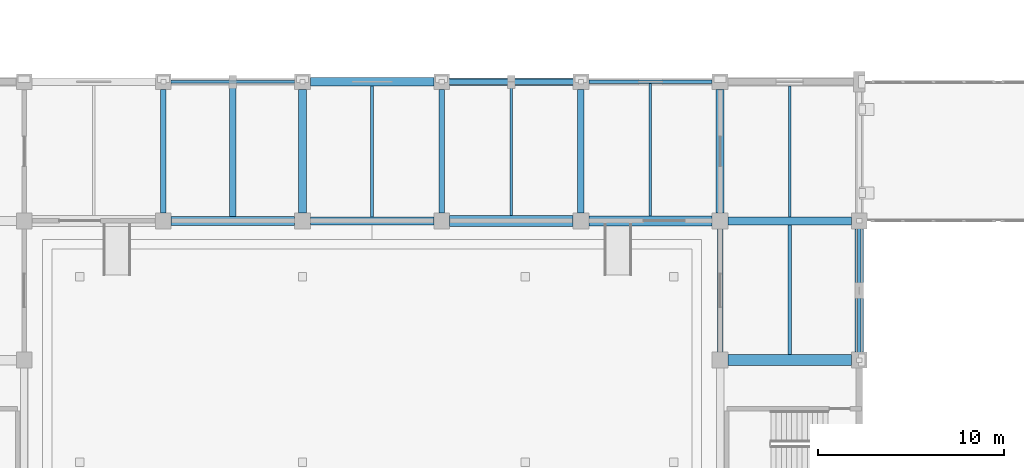
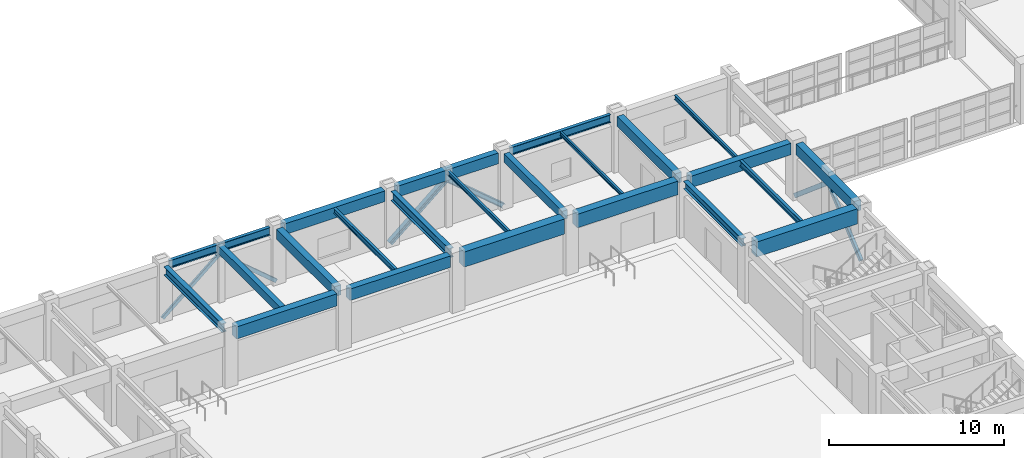
# One storey, part 55 of 132: 23 beams, 6 members.
"""IFC4 building model written with IfcOpenShell, lengths in metres."""

from ifc_helpers import new_model, si_unit, direction, frame, origin, origin_2d, place, context, subcontext, project, spatial, rectangle, hollow_rectangle, i_section, extrude, material, material_profile, profile_set, type_object, element, save


model = new_model("IFC4")

# Units and contexts
model_context = context("Model", 3, precision=1e-05, world=origin(), true_north=direction((0.0, 1.0)))
body_context = subcontext(model_context, "Body", "Model", "MODEL_VIEW")
ifc_project = project(units=[si_unit("LENGTHUNIT", "METRE"), si_unit("AREAUNIT", "SQUARE_METRE"), si_unit("VOLUMEUNIT", "CUBIC_METRE"), si_unit("PLANEANGLEUNIT", "RADIAN"), si_unit("MASSUNIT", "GRAM", prefix="KILO")], contexts=[model_context])

# Site, building, storey
site_placement = place(None, origin())
site = spatial("IfcSite", under=ifc_project, at=site_placement, CompositionType="ELEMENT")
building_placement = place(site_placement, origin())
building = spatial("IfcBuilding", under=site, at=building_placement, Name="Qasida Concert Hall", CompositionType="ELEMENT")
storey_placement = place(building_placement, frame((0.0, 0.0, 4.800048828125)))
storey = spatial("IfcBuildingStorey", under=building, at=storey_placement, Name="L01", CompositionType="ELEMENT", Elevation=4.800048828125)

# Beams
ifc_material_1 = material(Name="Concrete C40/50", Category="concrete")
ifc_material_profile_1 = material_profile(ifc_material_1, rectangle(XDim=0.419921875, YDim=0.699951171875, at=origin_2d()), Name="RC 420x700")
ifc_profile_set_1 = profile_set([ifc_material_profile_1], Name="Concrete C40/50")
beam_type_1 = type_object("IfcBeamType", Name="BM-B11", PredefinedType="BEAM", material=ifc_profile_set_1)
for number, where, z_axis, x_axis, name in (
    (1, (75.0, 75.425048828125, 3.570068359375), (0.0, 1.0, 0.0), (-1.0, 0.0, 0.0), "L01 girder 0813"),
    (2, (97.5, 75.425048828125, 3.570068359375), (0.0, 1.0, 0.0), (-1.0, 0.0, 0.0), "L01 girder 0823"),
):
    element("IfcBeam", number, at=place(storey_placement, frame(where, z_axis=z_axis, x_axis=x_axis)), inside=storey, type_object=beam_type_1, Name=name, PredefinedType="BEAM", context=body_context, shape_type="SweptSolid", body=[
        extrude(rectangle(XDim=0.419921875, YDim=0.699951171875, at=origin_2d()), origin(), (0.0, 0.0, 1.0), 6.64990234375),
    ])
ifc_material_2 = material(Name="Steel S355J2", Category="steel")
ifc_material_profile_2 = material_profile(ifc_material_2, i_section(OverallWidth=0.300048828125, OverallDepth=0.550048828125, WebThickness=0.014892578125, FlangeThickness=0.029052734375, FilletRadius=0.027099609375, at=origin_2d()), Name="HEB 550")
ifc_profile_set_2 = profile_set([ifc_material_profile_2], Name="Steel S355J2")
beam_type_2 = type_object("IfcBeamType", Name="BM-B12", PredefinedType="BEAM", material=ifc_profile_set_2)
beam_1_placement = place(storey_placement, frame((97.5, 67.925048828125, 3.64501953125), z_axis=(0.0, 1.0, 0.0), x_axis=(-1.0, 0.0, 0.0)))
element("IfcBeam", 3, at=beam_1_placement, inside=storey, type_object=beam_type_2, Name="L01 girder 0822", PredefinedType="BEAM", context=body_context, shape_type="SweptSolid", body=[
    extrude(i_section(OverallWidth=0.300048828125, OverallDepth=0.550048828125, WebThickness=0.014892578125, FlangeThickness=0.029052734375, FilletRadius=0.027099609375, at=origin_2d()), origin(), (0.0, 0.0, 1.0), 6.64990234375),
])
ifc_material_profile_3 = material_profile(ifc_material_2, i_section(OverallWidth=0.300048828125, OverallDepth=0.64990234375, WebThickness=0.01611328125, FlangeThickness=0.031005859375, FilletRadius=0.027099609375, at=origin_2d()), Name="HEB 650")
ifc_profile_set_3 = profile_set([ifc_material_profile_3], Name="Steel S355J2")
beam_type_3 = type_object("IfcBeamType", Name="BM-B13", PredefinedType="BEAM", material=ifc_profile_set_3)
beam_2_placement = place(storey_placement, frame((82.5, 75.425048828125, 3.594970703125), z_axis=(0.0, 1.0, 0.0), x_axis=(-1.0, 0.0, 0.0)))
element("IfcBeam", 4, at=beam_2_placement, inside=storey, type_object=beam_type_3, Name="L01 girder 0815", PredefinedType="BEAM", context=body_context, shape_type="SweptSolid", body=[
    extrude(i_section(OverallWidth=0.300048828125, OverallDepth=0.64990234375, WebThickness=0.01611328125, FlangeThickness=0.031005859375, FilletRadius=0.027099609375, at=origin_2d()), origin(), (0.0, 0.0, 1.0), 6.64990234375),
])
ifc_material_profile_4 = material_profile(ifc_material_1, rectangle(XDim=0.35009765625, YDim=0.60009765625, at=origin_2d()), Name="RC 350x600")
ifc_profile_set_4 = profile_set([ifc_material_profile_4], Name="Concrete C40/50")
beam_type_4 = type_object("IfcBeamType", Name="BM-B2", PredefinedType="BEAM", material=ifc_profile_set_4)
beam_3_placement = place(storey_placement, frame((90.0, 75.425048828125, 3.619873046875), z_axis=(0.0, 1.0, 0.0), x_axis=(-1.0, 0.0, 0.0)))
element("IfcBeam", 5, at=beam_3_placement, inside=storey, type_object=beam_type_4, Name="L01 girder 0817", PredefinedType="BEAM", context=body_context, shape_type="SweptSolid", body=[
    extrude(rectangle(XDim=0.35009765625, YDim=0.60009765625, at=origin_2d()), origin(), (0.0, 0.0, 1.0), 6.64990234375),
])
ifc_material_profile_5 = material_profile(ifc_material_2, i_section(OverallWidth=0.300048828125, OverallDepth=0.60009765625, WebThickness=0.015380859375, FlangeThickness=0.030029296875, FilletRadius=0.027099609375, at=origin_2d()), Name="HEB 600")
ifc_profile_set_5 = profile_set([ifc_material_profile_5], Name="Steel S355J2")
beam_type_5 = type_object("IfcBeamType", Name="BM-B6", PredefinedType="BEAM", material=ifc_profile_set_5)
beam_4_placement = place(storey_placement, frame((67.5, 75.425048828125, 3.619873046875), z_axis=(0.0, 1.0, 0.0), x_axis=(-1.0, 0.0, 0.0)))
element("IfcBeam", 6, at=beam_4_placement, inside=storey, type_object=beam_type_5, Name="L01 girder 0811", PredefinedType="BEAM", context=body_context, shape_type="SweptSolid", body=[
    extrude(i_section(OverallWidth=0.300048828125, OverallDepth=0.60009765625, WebThickness=0.015380859375, FlangeThickness=0.030029296875, FilletRadius=0.027099609375, at=origin_2d()), origin(), (0.0, 0.0, 1.0), 6.64990234375),
])
ifc_material_profile_6 = material_profile(ifc_material_1, rectangle(XDim=0.449951171875, YDim=0.800048828125, at=origin_2d()), Name="RC 450x800")
ifc_profile_set_6 = profile_set([ifc_material_profile_6], Name="Concrete C40/50")
beam_type_6 = type_object("IfcBeamType", Name="BM-G2", PredefinedType="USERDEFINED", material=ifc_profile_set_6)
for number, where, z_axis, x_axis, name in (
    (7, (75.425048828125, 75.0, 3.52001953125), (1.0, 0.0, 0.0), (0.0, 1.0, 0.0), "Primary girder 0787"),
    (8, (97.925048828125, 75.0, 3.52001953125), (1.0, 0.0, 0.0), (0.0, 1.0, 0.0), "Primary girder 0790"),
):
    element("IfcBeam", number, at=place(storey_placement, frame(where, z_axis=z_axis, x_axis=x_axis)), inside=storey, type_object=beam_type_6, Name=name, ObjectType="GIRDER", PredefinedType="USERDEFINED", context=body_context, shape_type="SweptSolid", body=[
        extrude(rectangle(XDim=0.449951171875, YDim=0.800048828125, at=origin_2d()), origin(), (0.0, 0.0, 1.0), 6.64990234375),
    ])
ifc_material_profile_7 = material_profile(ifc_material_1, rectangle(XDim=0.47998046875, YDim=0.85009765625, at=origin_2d()), Name="RC 480x850")
ifc_profile_set_7 = profile_set([ifc_material_profile_7], Name="Concrete C40/50")
beam_type_7 = type_object("IfcBeamType", Name="BM-G6", PredefinedType="USERDEFINED", material=ifc_profile_set_7)
beam_5_placement = place(storey_placement, frame((67.925048828125, 75.0, 3.494873046875), z_axis=(1.0, 0.0, 0.0), x_axis=(0.0, 1.0, 0.0)))
element("IfcBeam", 9, at=beam_5_placement, inside=storey, type_object=beam_type_7, Name="Primary girder 0786", ObjectType="GIRDER", PredefinedType="USERDEFINED", context=body_context, shape_type="SweptSolid", body=[
    extrude(rectangle(XDim=0.47998046875, YDim=0.85009765625, at=origin_2d()), origin(), (0.0, 0.0, 1.0), 6.64990234375),
])
ifc_material_profile_8 = material_profile(ifc_material_1, rectangle(XDim=0.52001953125, YDim=0.949951171875, at=origin_2d()), Name="RC 520x950")
ifc_profile_set_8 = profile_set([ifc_material_profile_8], Name="Concrete C40/50")
beam_type_8 = type_object("IfcBeamType", Name="BM-G7", PredefinedType="USERDEFINED", material=ifc_profile_set_8)
beam_6_placement = place(storey_placement, frame((90.425048828125, 75.0, 3.445068359375), z_axis=(1.0, 0.0, 0.0), x_axis=(0.0, 1.0, 0.0)))
element("IfcBeam", 10, at=beam_6_placement, inside=storey, type_object=beam_type_8, Name="Primary girder 0789", ObjectType="GIRDER", PredefinedType="USERDEFINED", context=body_context, shape_type="SweptSolid", body=[
    extrude(rectangle(XDim=0.52001953125, YDim=0.949951171875, at=origin_2d()), origin(), (0.0, 0.0, 1.0), 6.64990234375),
])
ifc_material_3 = material(Name="Concrete C50/60", Category="concrete")
ifc_material_profile_9 = material_profile(ifc_material_3, rectangle(XDim=0.580078125, YDim=1.050048828125, at=origin_2d()), Name="RC 580x1050")
ifc_profile_set_9 = profile_set([ifc_material_profile_9], Name="Concrete C50/60")
beam_type_9 = type_object("IfcBeamType", Name="BM-G8", PredefinedType="USERDEFINED", material=ifc_profile_set_9)
for number, where, z_axis, x_axis, name in (
    (11, (97.925048828125, 67.5, 3.39501953125), (1.0, 0.0, 0.0), (0.0, 1.0, 0.0), "Primary girder 0783"),
    (12, (82.925048828125, 75.0, 3.39501953125), (1.0, 0.0, 0.0), (0.0, 1.0, 0.0), "Primary girder 0788"),
):
    element("IfcBeam", number, at=place(storey_placement, frame(where, z_axis=z_axis, x_axis=x_axis)), inside=storey, type_object=beam_type_9, Name=name, ObjectType="GIRDER", PredefinedType="USERDEFINED", context=body_context, shape_type="SweptSolid", body=[
        extrude(rectangle(XDim=0.580078125, YDim=1.050048828125, at=origin_2d()), origin(), (0.0, 0.0, 1.0), 6.64990234375),
    ])
ifc_material_profile_10 = material_profile(ifc_material_2, i_section(OverallWidth=0.169921875, OverallDepth=0.360107421875, WebThickness=0.008056640625, FlangeThickness=0.0126953125, FilletRadius=0.01806640625, at=origin_2d()), Name="IPE 360")
ifc_profile_set_10 = profile_set([ifc_material_profile_10], Name="Steel S355J2")
beam_type_10 = type_object("IfcBeamType", Name="BM-J2", PredefinedType="JOIST", material=ifc_profile_set_10)
beam_7_placement = place(storey_placement, frame((78.75, 75.22509765625, 3.739990234375), z_axis=(0.0, 1.0, 0.0), x_axis=(-1.0, 0.0, 0.0)))
element("IfcBeam", 13, at=beam_7_placement, inside=storey, type_object=beam_type_10, Name="L01 secondary joist 0841", PredefinedType="JOIST", context=body_context, shape_type="SweptSolid", body=[
    extrude(i_section(OverallWidth=0.169921875, OverallDepth=0.360107421875, WebThickness=0.008056640625, FlangeThickness=0.0126953125, FilletRadius=0.01806640625, at=origin_2d()), origin(), (0.0, 0.0, 1.0), 7.0498046875),
])
ifc_material_profile_11 = material_profile(ifc_material_2, i_section(OverallWidth=0.179931640625, OverallDepth=0.39990234375, WebThickness=0.008544921875, FlangeThickness=0.013427734375, FilletRadius=0.02099609375, at=origin_2d()), Name="IPE 400")
ifc_profile_set_11 = profile_set([ifc_material_profile_11], Name="Steel S355J2")
beam_type_11 = type_object("IfcBeamType", Name="BM-J3", PredefinedType="JOIST", material=ifc_profile_set_11)
beam_8_placement = place(storey_placement, frame((101.25, 67.7900390625, 3.719970703125), z_axis=(0.0, 1.0, 0.0), x_axis=(-1.0, 0.0, 0.0)))
element("IfcBeam", 14, at=beam_8_placement, inside=storey, type_object=beam_type_11, Name="L01 secondary joist 0850", PredefinedType="JOIST", context=body_context, shape_type="SweptSolid", body=[
    extrude(i_section(OverallWidth=0.179931640625, OverallDepth=0.39990234375, WebThickness=0.008544921875, FlangeThickness=0.013427734375, FilletRadius=0.02099609375, at=origin_2d()), origin(), (0.0, 0.0, 1.0), 6.98486328125),
])
ifc_material_profile_12 = material_profile(ifc_material_2, i_section(OverallWidth=0.14990234375, OverallDepth=0.300048828125, WebThickness=0.007080078125, FlangeThickness=0.0107421875, FilletRadius=0.014892578125, at=origin_2d()), Name="IPE 300")
ifc_profile_set_12 = profile_set([ifc_material_profile_12], Name="Steel S355J2")
beam_type_12 = type_object("IfcBeamType", Name="BM-J4", PredefinedType="JOIST", material=ifc_profile_set_12)
beam_9_placement = place(storey_placement, frame((86.25, 75.2900390625, 3.77001953125), z_axis=(0.0, 1.0, 0.0), x_axis=(-1.0, 0.0, 0.0)))
element("IfcBeam", 15, at=beam_9_placement, inside=storey, type_object=beam_type_12, Name="L01 secondary joist 0843", PredefinedType="JOIST", context=body_context, shape_type="SweptSolid", body=[
    extrude(i_section(OverallWidth=0.14990234375, OverallDepth=0.300048828125, WebThickness=0.007080078125, FlangeThickness=0.0107421875, FilletRadius=0.014892578125, at=origin_2d()), origin(), (0.0, 0.0, 1.0), 7.010009765625),
])
beam_10_placement = place(storey_placement, frame((101.25, 75.22509765625, 3.77001953125), z_axis=(0.0, 1.0, 0.0), x_axis=(-1.0, 0.0, 0.0)))
element("IfcBeam", 16, at=beam_10_placement, inside=storey, type_object=beam_type_12, Name="L01 secondary joist 0851", PredefinedType="JOIST", context=body_context, shape_type="SweptSolid", body=[
    extrude(i_section(OverallWidth=0.14990234375, OverallDepth=0.300048828125, WebThickness=0.007080078125, FlangeThickness=0.0107421875, FilletRadius=0.014892578125, at=origin_2d()), origin(), (0.0, 0.0, 1.0), 7.0498046875),
])
ifc_material_profile_13 = material_profile(ifc_material_2, i_section(OverallWidth=0.135009765625, OverallDepth=0.27001953125, WebThickness=0.006591796875, FlangeThickness=0.01025390625, FilletRadius=0.014892578125, at=origin_2d()), Name="IPE 270")
ifc_profile_set_13 = profile_set([ifc_material_profile_13], Name="Steel S355J2")
beam_type_13 = type_object("IfcBeamType", Name="BM-J6", PredefinedType="JOIST", material=ifc_profile_set_13)
beam_11_placement = place(storey_placement, frame((93.75, 75.260009765625, 3.784912109375), z_axis=(0.0, 1.0, 0.0), x_axis=(-1.0, 0.0, 0.0)))
element("IfcBeam", 17, at=beam_11_placement, inside=storey, type_object=beam_type_13, Name="L01 secondary joist 0845", PredefinedType="JOIST", context=body_context, shape_type="SweptSolid", body=[
    extrude(i_section(OverallWidth=0.135009765625, OverallDepth=0.27001953125, WebThickness=0.006591796875, FlangeThickness=0.01025390625, FilletRadius=0.014892578125, at=origin_2d()), origin(), (0.0, 0.0, 1.0), 7.135009765625),
])
ifc_material_profile_14 = material_profile(ifc_material_1, rectangle(XDim=0.35009765625, YDim=0.550048828125, at=origin_2d()), Name="RC 350x550")
ifc_profile_set_14 = profile_set([ifc_material_profile_14], Name="Concrete C40/50")
beam_type_14 = type_object("IfcBeamType", Name="BM-J8", PredefinedType="JOIST", material=ifc_profile_set_14)
beam_12_placement = place(storey_placement, frame((71.25, 75.239990234375, 3.64501953125), z_axis=(0.0, 1.0, 0.0), x_axis=(-1.0, 0.0, 0.0)))
element("IfcBeam", 18, at=beam_12_placement, inside=storey, type_object=beam_type_14, Name="L01 secondary joist 0839", PredefinedType="JOIST", context=body_context, shape_type="SweptSolid", body=[
    extrude(rectangle(XDim=0.35009765625, YDim=0.550048828125, at=origin_2d()), origin(), (0.0, 0.0, 1.0), 7.155029296875),
])
ifc_material_profile_15 = material_profile(ifc_material_1, rectangle(XDim=0.39990234375, YDim=0.75, at=origin_2d()), Name="RC 400x750")
ifc_profile_set_15 = profile_set([ifc_material_profile_15], Name="Concrete C40/50")
beam_type_15 = type_object("IfcBeamType", Name="BM-SP1", PredefinedType="SPANDREL", material=ifc_profile_set_15)
beam_13_placement = place(storey_placement, frame((82.925048828125, 82.5, 3.544921875), z_axis=(1.0, 0.0, 0.0), x_axis=(0.0, 1.0, 0.0)))
element("IfcBeam", 19, at=beam_13_placement, inside=storey, type_object=beam_type_15, Name="Primary girder 0795", PredefinedType="SPANDREL", context=body_context, shape_type="SweptSolid", body=[
    extrude(rectangle(XDim=0.39990234375, YDim=0.75, at=origin_2d()), origin(), (0.0, 0.0, 1.0), 6.64990234375),
])
ifc_material_profile_16 = material_profile(ifc_material_2, i_section(OverallWidth=0.2099609375, OverallDepth=0.550048828125, WebThickness=0.010986328125, FlangeThickness=0.01708984375, FilletRadius=0.02392578125, at=origin_2d()), Name="IPE 550")
ifc_profile_set_16 = profile_set([ifc_material_profile_16], Name="Steel S355J2")
beam_type_16 = type_object("IfcBeamType", Name="BM-SP2", PredefinedType="SPANDREL", material=ifc_profile_set_16)
for number, where, z_axis, x_axis, name in (
    (20, (67.925048828125, 82.5, 3.64501953125), (1.0, 0.0, 0.0), (0.0, 1.0, 0.0), "Primary girder 0793"),
    (21, (90.425048828125, 82.5, 3.64501953125), (1.0, 0.0, 0.0), (0.0, 1.0, 0.0), "Primary girder 0796"),
):
    element("IfcBeam", number, at=place(storey_placement, frame(where, z_axis=z_axis, x_axis=x_axis)), inside=storey, type_object=beam_type_16, Name=name, PredefinedType="SPANDREL", context=body_context, shape_type="SweptSolid", body=[
        extrude(i_section(OverallWidth=0.2099609375, OverallDepth=0.550048828125, WebThickness=0.010986328125, FlangeThickness=0.01708984375, FilletRadius=0.02392578125, at=origin_2d()), origin(), (0.0, 0.0, 1.0), 6.64990234375),
    ])
ifc_material_profile_17 = material_profile(ifc_material_1, rectangle(XDim=0.449951171875, YDim=0.75, at=origin_2d()), Name="RC 450x750")
ifc_profile_set_17 = profile_set([ifc_material_profile_17], Name="Concrete C40/50")
beam_type_17 = type_object("IfcBeamType", Name="BM-SP4", PredefinedType="SPANDREL", material=ifc_profile_set_17)
for number, where, z_axis, x_axis, name in (
    (22, (75.425048828125, 82.5, 3.544921875), (1.0, 0.0, 0.0), (0.0, 1.0, 0.0), "Primary girder 0794"),
    (23, (105.0, 67.925048828125, 3.544921875), (0.0, 1.0, 0.0), (-1.0, 0.0, 0.0), "L01 girder 0828"),
):
    element("IfcBeam", number, at=place(storey_placement, frame(where, z_axis=z_axis, x_axis=x_axis)), inside=storey, type_object=beam_type_17, Name=name, PredefinedType="SPANDREL", context=body_context, shape_type="SweptSolid", body=[
        extrude(rectangle(XDim=0.449951171875, YDim=0.75, at=origin_2d()), origin(), (0.0, 0.0, 1.0), 6.64990234375),
    ])

# Members
ifc_material_profile_18 = material_profile(ifc_material_2, hollow_rectangle(XDim=0.199951171875, YDim=0.300048828125, WallThickness=0.012451171875, InnerFilletRadius=0.012451171875, OuterFilletRadius=0.02490234375, at=origin_2d()), Name="RHS 300x200x12.5")
ifc_profile_set_18 = profile_set([ifc_material_profile_18], Name="Steel S355J2")
member_type_1 = type_object("IfcMemberType", Name="MB-BR7", PredefinedType="BRACE", material=ifc_profile_set_18)
for number, where, z_axis, x_axis, name in (
    (24, (105.0, 67.5, 0.0), (0.0, 0.763703031539, 0.645567718848), (-1.0, 0.0, 0.0), "L01 chevron brace CBF-0015"),
    (25, (105.0, 75.0, 0.0), (0.0, -0.763703031539, 0.645567718848), (1.0, 0.0, 0.0), "L01 chevron brace CBF-0016"),
):
    element("IfcMember", number, at=place(storey_placement, frame(where, z_axis=z_axis, x_axis=x_axis)), inside=storey, type_object=member_type_1, Name=name, PredefinedType="BRACE", context=body_context, shape_type="SweptSolid", body=[
        extrude(hollow_rectangle(XDim=0.199951171875, YDim=0.300048828125, WallThickness=0.012451171875, InnerFilletRadius=0.012451171875, OuterFilletRadius=0.02490234375, at=origin_2d()), origin(), (0.0, 0.0, 1.0), 4.910400390625),
    ])
ifc_material_profile_19 = material_profile(ifc_material_2, hollow_rectangle(XDim=0.14990234375, YDim=0.25, WallThickness=0.010009765625, InnerFilletRadius=0.010009765625, OuterFilletRadius=0.02001953125, at=origin_2d()), Name="RHS 250x150x10")
ifc_profile_set_19 = profile_set([ifc_material_profile_19], Name="Steel S355J2")
member_type_2 = type_object("IfcMemberType", Name="MB-BR8", PredefinedType="BRACE", material=ifc_profile_set_19)
for number, where, z_axis, x_axis, name in (
    (26, (67.5, 82.5, 0.0), (0.763703031539, 0.0, 0.645567718848), (0.0, 1.0, 0.0), "L01 chevron brace CBF-0027"),
    (27, (75.0, 82.5, 0.0), (-0.763703031539, 0.0, 0.645567718848), (0.0, -1.0, 0.0), "L01 chevron brace CBF-0028"),
):
    element("IfcMember", number, at=place(storey_placement, frame(where, z_axis=z_axis, x_axis=x_axis)), inside=storey, type_object=member_type_2, Name=name, PredefinedType="BRACE", context=body_context, shape_type="SweptSolid", body=[
        extrude(hollow_rectangle(XDim=0.14990234375, YDim=0.25, WallThickness=0.010009765625, InnerFilletRadius=0.010009765625, OuterFilletRadius=0.02001953125, at=origin_2d()), origin(), (0.0, 0.0, 1.0), 4.910400390625),
    ])
ifc_material_profile_20 = material_profile(ifc_material_2, i_section(OverallWidth=0.300048828125, OverallDepth=0.2900390625, WebThickness=0.008544921875, FlangeThickness=0.013916015625, FilletRadius=0.027099609375, at=origin_2d()), Name="HEA 300")
ifc_profile_set_20 = profile_set([ifc_material_profile_20], Name="Steel S355J2")
member_type_3 = type_object("IfcMemberType", Name="MB-BR9", PredefinedType="BRACE", material=ifc_profile_set_20)
for number, where, z_axis, x_axis, name in (
    (28, (82.5, 82.5, 0.0), (0.763703031539, 0.0, 0.645567718848), (0.0, 1.0, 0.0), "L01 chevron brace CBF-0039"),
    (29, (90.0, 82.5, 0.0), (-0.763703031539, 0.0, 0.645567718848), (0.0, -1.0, 0.0), "L01 chevron brace CBF-0040"),
):
    element("IfcMember", number, at=place(storey_placement, frame(where, z_axis=z_axis, x_axis=x_axis)), inside=storey, type_object=member_type_3, Name=name, PredefinedType="BRACE", context=body_context, shape_type="SweptSolid", body=[
        extrude(i_section(OverallWidth=0.300048828125, OverallDepth=0.2900390625, WebThickness=0.008544921875, FlangeThickness=0.013916015625, FilletRadius=0.027099609375, at=origin_2d()), origin(), (0.0, 0.0, 1.0), 4.910400390625),
    ])

save(model, "model.ifc")
